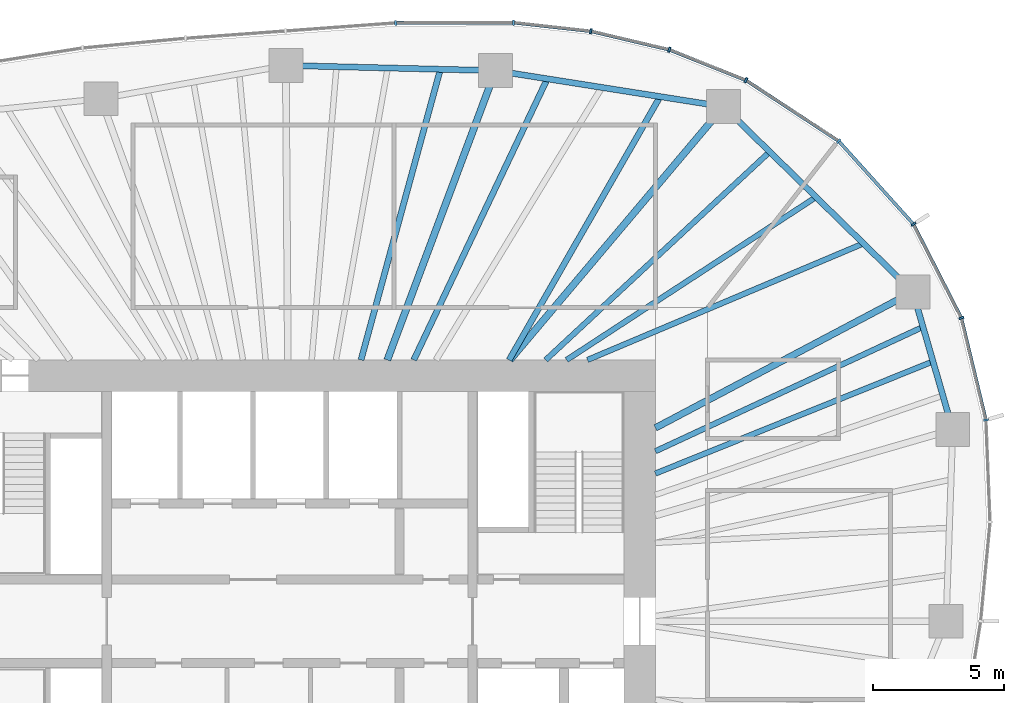
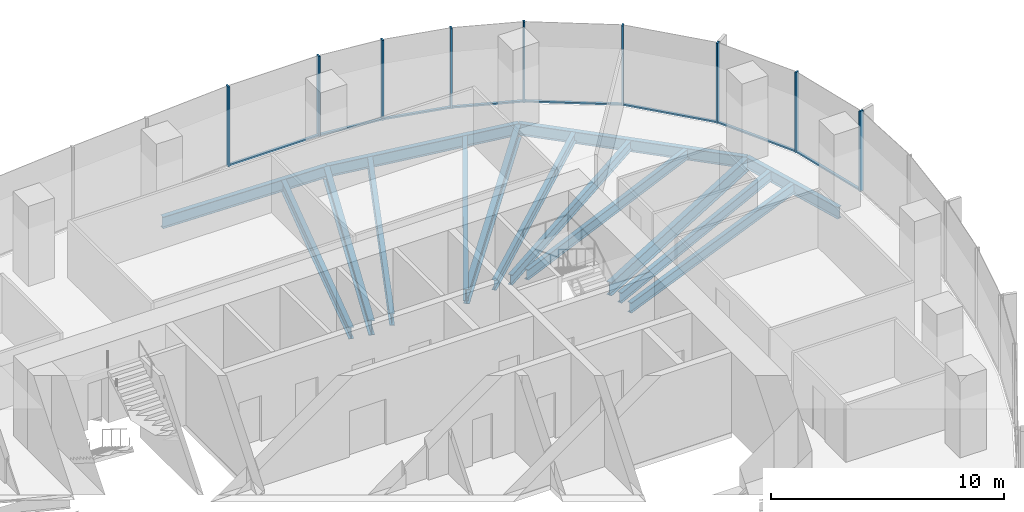
# One storey, part 6 of 12: 17 members, 15 beams, 4 elements without a shape of their own.
"""IFC4 building model written with IfcOpenShell, lengths in metres."""

from ifc_helpers import new_model, si_unit, direction, frame, origin, origin_2d, place, context, subcontext, project, spatial, rectangle, i_section, extrude, material, material_profile, profile_set, type_object, element, aggregate, save


model = new_model("IFC4")

# Units and contexts
model_context = context("Model", 3, precision=1e-05, world=origin(), true_north=direction((0.0, 1.0)))
body_context = subcontext(model_context, "Body", "Model", "MODEL_VIEW")
ifc_project = project(units=[si_unit("LENGTHUNIT", "METRE"), si_unit("AREAUNIT", "SQUARE_METRE"), si_unit("VOLUMEUNIT", "CUBIC_METRE"), si_unit("PLANEANGLEUNIT", "RADIAN"), si_unit("MASSUNIT", "GRAM", prefix="KILO")], contexts=[model_context])

# Site, building, storey
site_placement = place(None, origin())
site = spatial("IfcSite", under=ifc_project, at=site_placement, CompositionType="ELEMENT")
building_placement = place(site_placement, origin())
building = spatial("IfcBuilding", under=site, at=building_placement, Name="Ghaith Harvest Tower", CompositionType="ELEMENT")
storey_placement = place(building_placement, frame((0.0, 0.0, 224.199951171875)))
storey = spatial("IfcBuildingStorey", under=building, at=storey_placement, Name="L49", CompositionType="ELEMENT", Elevation=224.199951171875)

# Curtain wall, members
ifc_material_1 = material(Name="Black anodised aluminium and fritted glass", Category="aluminium")
curtain_wall_type = type_object("IfcCurtainWallType", Name="CW-H CURTAIN WALL", PredefinedType="NOTDEFINED", material=ifc_material_1)
curtain_wall_1_placement = place(storey_placement, origin())
curtain_wall_1 = element("IfcCurtainWall", 1, at=curtain_wall_1_placement, inside=storey, type_object=curtain_wall_type, Name="Curtain wall CW-H bay 02 L49", PredefinedType="NOTDEFINED")
ifc_material_2 = material(Name="Aluminium, black anodised", Category="aluminium")
ifc_material_profile_1 = material_profile(ifc_material_2, rectangle(XDim=0.080078125, YDim=0.199951171875, at=origin_2d()), Name="CW-H MULLION 80x200")
ifc_profile_set_1 = profile_set([ifc_material_profile_1], Name="Aluminium, black anodised")
member_type_1 = type_object("IfcMemberType", Name="CW-H MULLION 80x200", PredefinedType="MULLION", material=ifc_profile_set_1)
member_1_placement = place(storey_placement, frame((26.646484375, 7.701416015625, 0.0), z_axis=(0.0, 0.0, 1.0), x_axis=(-0.139146256981, 0.990271841046, 0.0)))
member_1 = element("IfcMember", 2, at=member_1_placement, type_object=member_type_1, Name="CW-H mullion 1 bay 02 L49", PredefinedType="MULLION", context=body_context, shape_type="SweptSolid", body=[
    extrude(rectangle(XDim=0.080078125, YDim=0.199951171875, at=origin_2d()), origin(), (0.0, 0.0, 1.0), 4.199951171875),
])
member_2_placement = place(storey_placement, frame((25.707275390625, 11.60546875, 0.0), z_axis=(0.0, 0.0, 1.0), x_axis=(-0.347012123561, 0.93786064322, 0.0)))
member_2 = element("IfcMember", 3, at=member_2_placement, type_object=member_type_1, Name="CW-H mullion 2 bay 02 L49", PredefinedType="MULLION", context=body_context, shape_type="SweptSolid", body=[
    extrude(rectangle(XDim=0.080078125, YDim=0.199951171875, at=origin_2d()), origin(), (0.0, 0.0, 1.0), 4.199951171875),
])

curtain_wall_2_placement = place(storey_placement, origin())
curtain_wall_2 = element("IfcCurtainWall", 4, at=curtain_wall_2_placement, inside=storey, type_object=curtain_wall_type, Name="Curtain wall CW-H bay 03 L49", PredefinedType="NOTDEFINED")
member_3_placement = place(storey_placement, frame((23.874267578125, 15.19384765625, 0.0), z_axis=(0.0, 0.0, 1.0), x_axis=(-0.569847382909, 0.821750546207, 0.0)))
member_3 = element("IfcMember", 5, at=member_3_placement, type_object=member_type_1, Name="CW-H mullion 1 bay 03 L49", PredefinedType="MULLION", context=body_context, shape_type="SweptSolid", body=[
    extrude(rectangle(XDim=0.080078125, YDim=0.199951171875, at=origin_2d()), origin(), (0.0, 0.0, 1.0), 4.199951171875),
])
member_4_placement = place(storey_placement, frame((21.013427734375, 18.374267578125, 0.0), z_axis=(0.0, 0.0, 1.0), x_axis=(-0.758541332755, 0.651624927778, 0.0)))
member_4 = element("IfcMember", 6, at=member_4_placement, type_object=member_type_1, Name="CW-H mullion 2 bay 03 L49", PredefinedType="MULLION", context=body_context, shape_type="SweptSolid", body=[
    extrude(rectangle(XDim=0.080078125, YDim=0.199951171875, at=origin_2d()), origin(), (0.0, 0.0, 1.0), 4.199951171875),
])

curtain_wall_3_placement = place(storey_placement, origin())
curtain_wall_3 = element("IfcCurtainWall", 7, at=curtain_wall_3_placement, inside=storey, type_object=curtain_wall_type, Name="Curtain wall CW-H bay 04 L49", PredefinedType="NOTDEFINED")
member_5_placement = place(storey_placement, frame((17.45947265625, 20.704345703125, 0.0), z_axis=(0.0, 0.0, 1.0), x_axis=(-0.880203412003, 0.474596621878, 0.0)))
member_5 = element("IfcMember", 8, at=member_5_placement, type_object=member_type_1, Name="CW-H mullion 1 bay 04 L49", PredefinedType="MULLION", context=body_context, shape_type="SweptSolid", body=[
    extrude(rectangle(XDim=0.080078125, YDim=0.199951171875, at=origin_2d()), origin(), (0.0, 0.0, 1.0), 4.199951171875),
])
member_6_placement = place(storey_placement, frame((14.52734375, 21.871337890625, 0.0), z_axis=(0.0, 0.0, 1.0), x_axis=(-0.953502908871, 0.30138381306, 0.0)))
member_6 = element("IfcMember", 9, at=member_6_placement, type_object=member_type_1, Name="CW-H mullion 2 bay 04 L49", PredefinedType="MULLION", context=body_context, shape_type="SweptSolid", body=[
    extrude(rectangle(XDim=0.080078125, YDim=0.199951171875, at=origin_2d()), origin(), (0.0, 0.0, 1.0), 4.199951171875),
])
member_7_placement = place(storey_placement, frame((11.527099609375, 22.579345703125, 0.0), z_axis=(0.0, 0.0, 1.0), x_axis=(-0.985193373388, 0.171446834417, 0.0)))
member_7 = element("IfcMember", 10, at=member_7_placement, type_object=member_type_1, Name="CW-H mullion 3 bay 04 L49", PredefinedType="MULLION", context=body_context, shape_type="SweptSolid", body=[
    extrude(rectangle(XDim=0.080078125, YDim=0.199951171875, at=origin_2d()), origin(), (0.0, 0.0, 1.0), 4.199951171875),
])

curtain_wall_4_placement = place(storey_placement, origin())
curtain_wall_4 = element("IfcCurtainWall", 11, at=curtain_wall_4_placement, inside=storey, type_object=curtain_wall_type, Name="Curtain wall CW-H bay 05 L49", PredefinedType="NOTDEFINED")
member_8_placement = place(storey_placement, frame((8.564208984375, 22.9091796875, 0.0), z_axis=(0.0, 0.0, 1.0), x_axis=(-0.999083519493, 0.042803283493, 0.0)))
member_8 = element("IfcMember", 12, at=member_8_placement, type_object=member_type_1, Name="CW-H mullion 1 bay 05 L49", PredefinedType="MULLION", context=body_context, shape_type="SweptSolid", body=[
    extrude(rectangle(XDim=0.080078125, YDim=0.199951171875, at=origin_2d()), origin(), (0.0, 0.0, 1.0), 4.199951171875),
])
member_9_placement = place(storey_placement, frame((4.0595703125, 22.8994140625, 0.0), z_axis=(0.0, 0.0, 1.0), x_axis=(-0.999332779724, -0.036523901335, 0.0)))
member_9 = element("IfcMember", 13, at=member_9_placement, type_object=member_type_1, Name="CW-H mullion 2 bay 05 L49", PredefinedType="MULLION", context=body_context, shape_type="SweptSolid", body=[
    extrude(rectangle(XDim=0.080078125, YDim=0.199951171875, at=origin_2d()), origin(), (0.0, 0.0, 1.0), 4.199951171875),
])

# Member
ifc_material_3 = material(Name="Aluminium, black anodised", Category="aluminium")
ifc_material_profile_2 = material_profile(ifc_material_3, rectangle(XDim=0.1298828125, YDim=0.080078125, at=origin_2d()), Name="CW-H TRANSOM 130x80")
ifc_profile_set_2 = profile_set([ifc_material_profile_2], Name="Aluminium, black anodised")
member_type_2 = type_object("IfcMemberType", Name="CW-H TRANSOM 130x80", PredefinedType="USERDEFINED", material=ifc_profile_set_2)
member_10_placement = place(storey_placement, frame((26.636962890625, 7.740234375, 0.0400390625), z_axis=(-0.233870324689, 0.972267798104, 0.0), x_axis=(-0.972267798104, -0.233870324689, 0.0)))
member_10 = element("IfcMember", 14, at=member_10_placement, type_object=member_type_2, Name="CW-H transom 1 bay 02 L49", ObjectType="TRANSOM", PredefinedType="USERDEFINED", context=body_context, shape_type="SweptSolid", body=[
    extrude(rectangle(XDim=0.1298828125, YDim=0.080078125, at=origin_2d()), origin(), (0.0, 0.0, 1.0), 3.935546875),
])

member_11_placement = place(storey_placement, frame((25.68896484375, 11.64111328125, 0.0400390625), z_axis=(-0.454911728312, 0.890536534592, 0.0), x_axis=(-0.890536534592, -0.454911728312, 0.0)))
member_11 = element("IfcMember", 15, at=member_11_placement, type_object=member_type_2, Name="CW-H transom 2 bay 02 L49", ObjectType="TRANSOM", PredefinedType="USERDEFINED", context=body_context, shape_type="SweptSolid", body=[
    extrude(rectangle(XDim=0.1298828125, YDim=0.080078125, at=origin_2d()), origin(), (0.0, 0.0, 1.0), 3.949462890625),
])

aggregate(curtain_wall_1, [member_1, member_10, member_2, member_11])

member_12_placement = place(storey_placement, frame((23.847412109375, 15.223388671875, 0.0400390625), z_axis=(-0.668752638518, 0.743484975286, 0.0), x_axis=(-0.743484975286, -0.668752638518, 0.0)))
member_12 = element("IfcMember", 16, at=member_12_placement, type_object=member_type_2, Name="CW-H transom 1 bay 03 L49", ObjectType="TRANSOM", PredefinedType="USERDEFINED", context=body_context, shape_type="SweptSolid", body=[
    extrude(rectangle(XDim=0.1298828125, YDim=0.080078125, at=origin_2d()), origin(), (0.0, 0.0, 1.0), 4.197998046875),
])

member_13_placement = place(storey_placement, frame((20.97998046875, 18.39599609375, 0.0400390625), z_axis=(-0.836268574396, 0.548320044753, 0.0), x_axis=(-0.548320044753, -0.836268574396, 0.0)))
member_13 = element("IfcMember", 17, at=member_13_placement, type_object=member_type_2, Name="CW-H transom 2 bay 03 L49", ObjectType="TRANSOM", PredefinedType="USERDEFINED", context=body_context, shape_type="SweptSolid", body=[
    extrude(rectangle(XDim=0.1298828125, YDim=0.080078125, at=origin_2d()), origin(), (0.0, 0.0, 1.0), 4.169677734375),
])

aggregate(curtain_wall_2, [member_3, member_12, member_4, member_13])

member_14_placement = place(storey_placement, frame((17.42236328125, 20.71923828125, 0.0400390625), z_axis=(-0.929115751434, 0.369789021521, 0.0), x_axis=(-0.369789021521, -0.929115751434, 0.0)))
member_14 = element("IfcMember", 18, at=member_14_placement, type_object=member_type_2, Name="CW-H transom 1 bay 04 L49", ObjectType="TRANSOM", PredefinedType="USERDEFINED", context=body_context, shape_type="SweptSolid", body=[
    extrude(rectangle(XDim=0.1298828125, YDim=0.080078125, at=origin_2d()), origin(), (0.0, 0.0, 1.0), 3.075927734375),
])

member_15_placement = place(storey_placement, frame((14.48828125, 21.880615234375, 0.0400390625), z_axis=(-0.97325803677, 0.229714592186, 0.0), x_axis=(-0.229714592186, -0.97325803677, 0.0)))
member_15 = element("IfcMember", 19, at=member_15_placement, type_object=member_type_2, Name="CW-H transom 2 bay 04 L49", ObjectType="TRANSOM", PredefinedType="USERDEFINED", context=body_context, shape_type="SweptSolid", body=[
    extrude(rectangle(XDim=0.1298828125, YDim=0.080078125, at=origin_2d()), origin(), (0.0, 0.0, 1.0), 3.00244140625),
])

member_16_placement = place(storey_placement, frame((11.4873046875, 22.583984375, 0.0400390625), z_axis=(-0.993867303252, 0.110579308762, 0.0), x_axis=(-0.110579308762, -0.993867303252, 0.0)))
member_16 = element("IfcMember", 20, at=member_16_placement, type_object=member_type_2, Name="CW-H transom 3 bay 04 L49", ObjectType="TRANSOM", PredefinedType="USERDEFINED", context=body_context, shape_type="SweptSolid", body=[
    extrude(rectangle(XDim=0.1298828125, YDim=0.080078125, at=origin_2d()), origin(), (0.0, 0.0, 1.0), 2.901123046875),
])

aggregate(curtain_wall_3, [member_5, member_14, member_6, member_15, member_7, member_16])

member_17_placement = place(storey_placement, frame((8.524169921875, 22.9091796875, 0.0400390625), z_axis=(-0.999997564275, -0.002207134722, 0.0), x_axis=(0.002207134722, -0.999997564275, 0.0)))
member_17 = element("IfcMember", 21, at=member_17_placement, type_object=member_type_2, Name="CW-H transom 1 bay 05 L49", ObjectType="TRANSOM", PredefinedType="USERDEFINED", context=body_context, shape_type="SweptSolid", body=[
    extrude(rectangle(XDim=0.1298828125, YDim=0.080078125, at=origin_2d()), origin(), (0.0, 0.0, 1.0), 4.424560546875),
])

aggregate(curtain_wall_4, [member_8, member_17, member_9])

# Beams
ifc_material_4 = material(Name="Steel ASTM A992 Grade 50", Category="steel")
ifc_material_profile_3 = material_profile(ifc_material_4, i_section(OverallWidth=0.22900390625, OverallDepth=0.612060546875, WebThickness=0.011962890625, FlangeThickness=0.01953125, at=origin_2d()), Name="W610X125")
ifc_profile_set_3 = profile_set([ifc_material_profile_3], Name="Steel ASTM A992 Grade 50")
beam_type_1 = type_object("IfcBeamType", Name="E610-125 W610X125", PredefinedType="SPANDREL", material=ifc_profile_set_3)
beam_1_placement = place(storey_placement, frame((25.3779296875, 7.3349609375, -0.475830078125), z_axis=(-0.278021352648, 0.960574894254, 0.0), x_axis=(-0.960574894254, -0.278021352648, 0.0)))
element("IfcBeam", 22, at=beam_1_placement, inside=storey, type_object=beam_type_1, Name="Edge beam E02 L49", PredefinedType="SPANDREL", context=body_context, shape_type="SweptSolid", body=[
    extrude(i_section(OverallWidth=0.22900390625, OverallDepth=0.612060546875, WebThickness=0.011962890625, FlangeThickness=0.01953125, at=origin_2d()), origin(), (0.0, 0.0, 1.0), 5.48828125),
])
beam_2_placement = place(storey_placement, frame((23.85205078125, 12.60693359375, -0.475830078125), z_axis=(-0.714761249388, 0.699368541166, 0.0), x_axis=(-0.699368541166, -0.714761249388, 0.0)))
element("IfcBeam", 23, at=beam_2_placement, inside=storey, type_object=beam_type_1, Name="Edge beam E03 L49", PredefinedType="SPANDREL", context=body_context, shape_type="SweptSolid", body=[
    extrude(i_section(OverallWidth=0.22900390625, OverallDepth=0.612060546875, WebThickness=0.011962890625, FlangeThickness=0.01953125, at=origin_2d()), origin(), (0.0, 0.0, 1.0), 10.135009765625),
])
beam_3_placement = place(storey_placement, frame((16.60791015625, 19.695068359375, -0.475830078125), z_axis=(-0.987788485872, 0.155800857439, 0.0), x_axis=(-0.155800857439, -0.987788485872, 0.0)))
element("IfcBeam", 24, at=beam_3_placement, inside=storey, type_object=beam_type_1, Name="Edge beam E04 L49", PredefinedType="SPANDREL", context=body_context, shape_type="SweptSolid", body=[
    extrude(i_section(OverallWidth=0.22900390625, OverallDepth=0.612060546875, WebThickness=0.011962890625, FlangeThickness=0.01953125, at=origin_2d()), origin(), (0.0, 0.0, 1.0), 8.837890625),
])
beam_4_placement = place(storey_placement, frame((7.8779296875, 21.072021484375, -0.475830078125), z_axis=(-0.999692679676, 0.024790042413, 0.0), x_axis=(-0.024790042413, -0.999692679676, 0.0)))
element("IfcBeam", 25, at=beam_4_placement, inside=storey, type_object=beam_type_1, Name="Edge beam E05 L49", PredefinedType="SPANDREL", context=body_context, shape_type="SweptSolid", body=[
    extrude(i_section(OverallWidth=0.22900390625, OverallDepth=0.612060546875, WebThickness=0.011962890625, FlangeThickness=0.01953125, at=origin_2d()), origin(), (0.0, 0.0, 1.0), 8.0263671875),
])
ifc_material_5 = material(Name="Steel ASTM A992 Grade 50", Category="steel")
ifc_material_profile_4 = material_profile(ifc_material_5, i_section(OverallWidth=0.256103515625, OverallDepth=0.693115234375, WebThickness=0.014404296875, FlangeThickness=0.023681640625, at=origin_2d()), Name="W690X170")
ifc_profile_set_4 = profile_set([ifc_material_profile_4], Name="Steel ASTM A992 Grade 50")
beam_type_2 = type_object("IfcBeamType", Name="G690-170 W690X170", PredefinedType="BEAM", material=ifc_profile_set_4)
beam_5_placement = place(storey_placement, frame((14.0, 7.39990234375, -0.516357421875), z_axis=(0.884112784119, 0.467273565438, 0.0), x_axis=(-0.467273565438, 0.884112784119, 0.0)))
element("IfcBeam", 26, at=beam_5_placement, inside=storey, type_object=beam_type_2, Name="Radial girder G03 L49", PredefinedType="BEAM", context=body_context, shape_type="SweptSolid", body=[
    extrude(i_section(OverallWidth=0.256103515625, OverallDepth=0.693115234375, WebThickness=0.014404296875, FlangeThickness=0.023681640625, at=origin_2d()), origin(), (0.0, 0.0, 1.0), 11.143310546875),
])
ifc_material_6 = material(Name="Steel ASTM A992 Grade 50", Category="steel")
ifc_material_profile_5 = material_profile(ifc_material_6, i_section(OverallWidth=0.26806640625, OverallDepth=0.77001953125, WebThickness=0.015625, FlangeThickness=0.025390625, at=origin_2d()), Name="W760X196")
ifc_profile_set_5 = profile_set([ifc_material_profile_5], Name="Steel ASTM A992 Grade 50")
beam_type_3 = type_object("IfcBeamType", Name="G760-196 W760X196", PredefinedType="BEAM", material=ifc_profile_set_5)
beam_6_placement = place(storey_placement, frame((8.4326171875, 10.0, -0.554931640625), z_axis=(0.644644245772, 0.764482698557, 0.0), x_axis=(-0.764482698557, 0.644644245772, 0.0)))
element("IfcBeam", 27, at=beam_6_placement, inside=storey, type_object=beam_type_3, Name="Radial girder G04 L49", PredefinedType="BEAM", context=body_context, shape_type="SweptSolid", body=[
    extrude(i_section(OverallWidth=0.26806640625, OverallDepth=0.77001953125, WebThickness=0.015625, FlangeThickness=0.025390625, at=origin_2d()), origin(), (0.0, 0.0, 1.0), 12.681884765625),
])
beam_7_placement = place(storey_placement, frame((3.73828125, 10.0, -0.554931640625), z_axis=(0.350206582147, 0.936672488024, 0.0), x_axis=(-0.936672488024, 0.350206582147, 0.0)))
element("IfcBeam", 28, at=beam_7_placement, inside=storey, type_object=beam_type_3, Name="Radial girder G05 L49", PredefinedType="BEAM", context=body_context, shape_type="SweptSolid", body=[
    extrude(i_section(OverallWidth=0.26806640625, OverallDepth=0.77001953125, WebThickness=0.015625, FlangeThickness=0.025390625, at=origin_2d()), origin(), (0.0, 0.0, 1.0), 11.820556640625),
])
ifc_material_7 = material(Name="Steel ASTM A992 Grade 50", Category="steel")
ifc_material_profile_6 = material_profile(ifc_material_7, i_section(OverallWidth=0.2109375, OverallDepth=0.5390625, WebThickness=0.01171875, FlangeThickness=0.018798828125, at=origin_2d()), Name="W530X109")
ifc_profile_set_6 = profile_set([ifc_material_profile_6], Name="Steel ASTM A992 Grade 50")
beam_type_4 = type_object("IfcBeamType", Name="J530-109 W530X109", PredefinedType="JOIST", material=ifc_profile_set_6)
beam_8_placement = place(storey_placement, frame((14.0, 5.653564453125, -0.439453125), z_axis=(0.927250374508, 0.37444190868, 0.0), x_axis=(-0.37444190868, 0.927250374508, 0.0)))
element("IfcBeam", 29, at=beam_8_placement, inside=storey, type_object=beam_type_4, Name="Joist J02.2 L49", PredefinedType="JOIST", context=body_context, shape_type="SweptSolid", body=[
    extrude(i_section(OverallWidth=0.2109375, OverallDepth=0.5390625, WebThickness=0.01171875, FlangeThickness=0.018798828125, at=origin_2d()), origin(), (0.0, 0.0, 1.0), 11.45654296875),
])
beam_9_placement = place(storey_placement, frame((14.0, 6.506103515625, -0.439453125), z_axis=(0.906864105655, 0.421423176718, 0.0), x_axis=(-0.421423176718, 0.906864105655, 0.0)))
element("IfcBeam", 30, at=beam_9_placement, inside=storey, type_object=beam_type_4, Name="Joist J02.3 L49", PredefinedType="JOIST", context=body_context, shape_type="SweptSolid", body=[
    extrude(i_section(OverallWidth=0.2109375, OverallDepth=0.5390625, WebThickness=0.01171875, FlangeThickness=0.018798828125, at=origin_2d()), origin(), (0.0, 0.0, 1.0), 11.292236328125),
])
beam_10_placement = place(storey_placement, frame((11.39990234375, 10.0, -0.439453125), z_axis=(0.92127415213, 0.388913790727, 0.0), x_axis=(-0.388913790727, 0.92127415213, 0.0)))
element("IfcBeam", 31, at=beam_10_placement, inside=storey, type_object=beam_type_4, Name="Joist J03.1 L49", PredefinedType="JOIST", context=body_context, shape_type="SweptSolid", body=[
    extrude(i_section(OverallWidth=0.2109375, OverallDepth=0.5390625, WebThickness=0.01171875, FlangeThickness=0.018798828125, at=origin_2d()), origin(), (0.0, 0.0, 1.0), 11.462646484375),
])
beam_11_placement = place(storey_placement, frame((10.60009765625, 10.0, -0.439453125), z_axis=(0.837329320942, 0.546698827775, 0.0), x_axis=(-0.546698827775, 0.837329320942, 0.0)))
element("IfcBeam", 32, at=beam_11_placement, inside=storey, type_object=beam_type_4, Name="Joist J03.2 L49", PredefinedType="JOIST", context=body_context, shape_type="SweptSolid", body=[
    extrude(i_section(OverallWidth=0.2109375, OverallDepth=0.5390625, WebThickness=0.01171875, FlangeThickness=0.018798828125, at=origin_2d()), origin(), (0.0, 0.0, 1.0), 11.40087890625),
])
beam_12_placement = place(storey_placement, frame((9.800048828125, 10.0, -0.439453125), z_axis=(0.732519288302, 0.680746275984, 0.0), x_axis=(-0.680746275984, 0.732519288302, 0.0)))
element("IfcBeam", 33, at=beam_12_placement, inside=storey, type_object=beam_type_4, Name="Joist J03.3 L49", PredefinedType="JOIST", context=body_context, shape_type="SweptSolid", body=[
    extrude(i_section(OverallWidth=0.2109375, OverallDepth=0.5390625, WebThickness=0.01171875, FlangeThickness=0.018798828125, at=origin_2d()), origin(), (0.0, 0.0, 1.0), 11.7041015625),
])
ifc_material_8 = material(Name="Steel ASTM A992 Grade 50", Category="steel")
ifc_material_profile_7 = material_profile(ifc_material_8, i_section(OverallWidth=0.22900390625, OverallDepth=0.612060546875, WebThickness=0.011962890625, FlangeThickness=0.01953125, at=origin_2d()), Name="W610X125")
ifc_profile_set_7 = profile_set([ifc_material_profile_7], Name="Steel ASTM A992 Grade 50")
beam_type_5 = type_object("IfcBeamType", Name="J610-125 W610X125", PredefinedType="JOIST", material=ifc_profile_set_7)
beam_13_placement = place(storey_placement, frame((8.39990234375, 10.0, -0.475830078125), z_axis=(0.497444212127, 0.867495968764, 0.0), x_axis=(-0.867495968764, 0.497444212127, 0.0)))
element("IfcBeam", 34, at=beam_13_placement, inside=storey, type_object=beam_type_5, Name="Joist J04.1 L49", PredefinedType="JOIST", context=body_context, shape_type="SweptSolid", body=[
    extrude(i_section(OverallWidth=0.22900390625, OverallDepth=0.612060546875, WebThickness=0.011962890625, FlangeThickness=0.01953125, at=origin_2d()), origin(), (0.0, 0.0, 1.0), 11.617431640625),
])
beam_14_placement = place(storey_placement, frame((4.75, 10.0, -0.475830078125), z_axis=(0.429069356877, 0.903271546651, 0.0), x_axis=(-0.903271546651, 0.429069356877, 0.0)))
element("IfcBeam", 35, at=beam_14_placement, inside=storey, type_object=beam_type_5, Name="Joist J04.3 L49", PredefinedType="JOIST", context=body_context, shape_type="SweptSolid", body=[
    extrude(i_section(OverallWidth=0.22900390625, OverallDepth=0.612060546875, WebThickness=0.011962890625, FlangeThickness=0.01953125, at=origin_2d()), origin(), (0.0, 0.0, 1.0), 11.911376953125),
])
beam_15_placement = place(storey_placement, frame((2.73095703125, 10.0, -0.475830078125), z_axis=(0.263455967932, 0.964671422279, 0.0), x_axis=(-0.964671422279, 0.263455967932, 0.0)))
element("IfcBeam", 36, at=beam_15_placement, inside=storey, type_object=beam_type_5, Name="Joist J05.1 L49", PredefinedType="JOIST", context=body_context, shape_type="SweptSolid", body=[
    extrude(i_section(OverallWidth=0.22900390625, OverallDepth=0.612060546875, WebThickness=0.011962890625, FlangeThickness=0.01953125, at=origin_2d()), origin(), (0.0, 0.0, 1.0), 11.53173828125),
])

save(model, "model.ifc")
